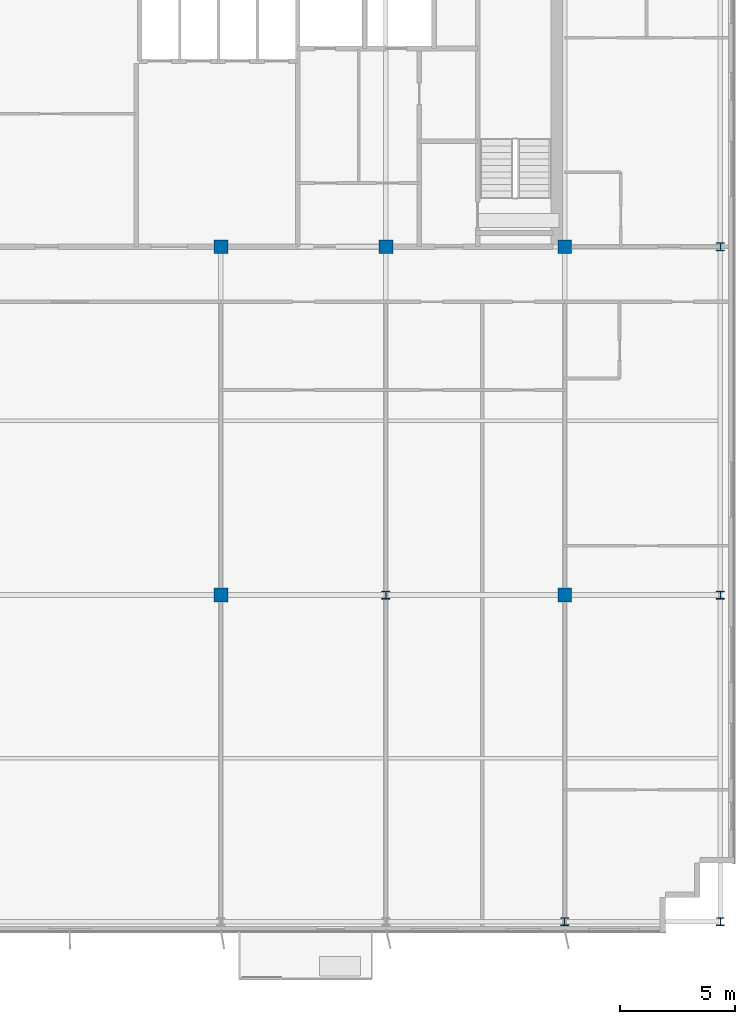
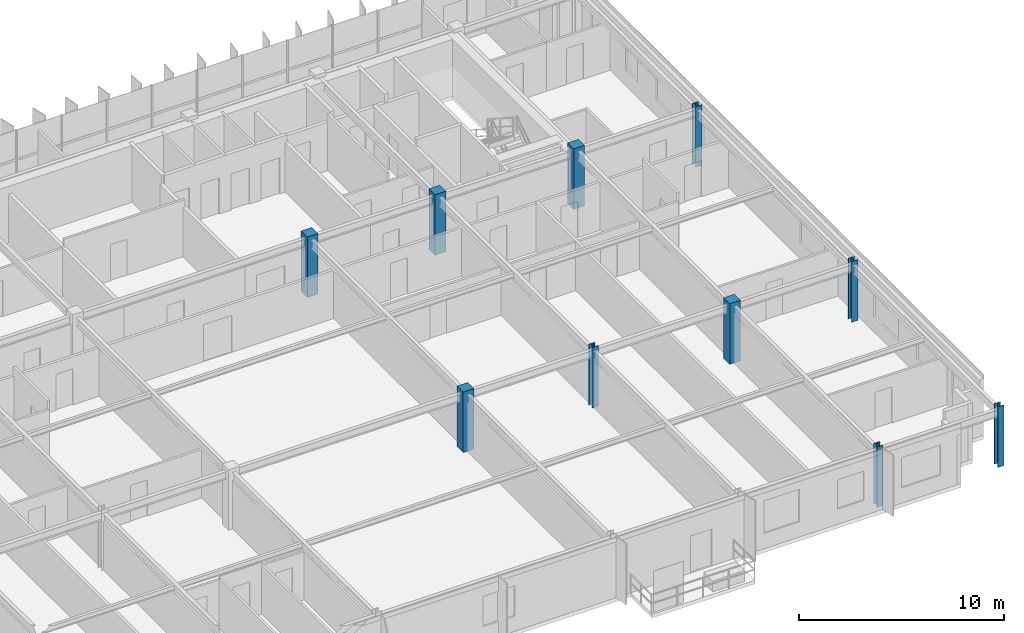
# One storey, part 2 of 22: 10 columns.
"""IFC4 building model written with IfcOpenShell, lengths in metres."""

from ifc_helpers import new_model, si_unit, direction, frame, origin, origin_2d, place, context, subcontext, project, spatial, rectangle, i_section, extrude, source, transform, mapped, material, material_profile, profile_set, type_object, element, save


model = new_model("IFC4")

# Units and contexts
model_context = context("Model", 3, precision=1e-05, world=origin(), true_north=direction((0.0, 1.0)))
body_context = subcontext(model_context, "Body", "Model", "MODEL_VIEW")
ifc_project = project(units=[si_unit("LENGTHUNIT", "METRE"), si_unit("AREAUNIT", "SQUARE_METRE"), si_unit("VOLUMEUNIT", "CUBIC_METRE"), si_unit("PLANEANGLEUNIT", "RADIAN"), si_unit("MASSUNIT", "GRAM", prefix="KILO")], contexts=[model_context])

# Site, building, storey
site_placement = place(None, origin())
site = spatial("IfcSite", under=ifc_project, at=site_placement, CompositionType="ELEMENT")
building_placement = place(site_placement, origin())
building = spatial("IfcBuilding", under=site, at=building_placement, Name="Trelvane Seafront Commons", CompositionType="ELEMENT")
storey_placement = place(building_placement, frame((0.0, 0.0, 273.89990234375)))
storey = spatial("IfcBuildingStorey", under=building, at=storey_placement, Name="L71", CompositionType="ELEMENT", Elevation=273.89990234375)

# Columns
ifc_material_1 = material(Name="Steel SM355 (S355)", Category="steel")
ifc_material_profile_1 = material_profile(ifc_material_1, i_section(OverallWidth=0.35009765625, OverallDepth=0.35009765625, WebThickness=0.01806640625, FlangeThickness=0.028076171875, at=origin_2d()), Name="HD-350x350x18x28")
ifc_profile_set_1 = profile_set([ifc_material_profile_1], Name="Steel SM355 (S355)")
column_type_1 = type_object("IfcColumnType", Name="STR-COL-HD350", PredefinedType="COLUMN", material=ifc_profile_set_1)
shared_shape_1 = source(origin(), body_context, "Body", "SweptSolid", [
    extrude(i_section(OverallWidth=0.35009765625, OverallDepth=0.35009765625, WebThickness=0.01806640625, FlangeThickness=0.028076171875, at=origin_2d()), origin(), (0.0, 0.0, 1.0), 3.60009765625),
])
for number, where, z_axis, x_axis, name in (
    (1, (51.0, 18.199951171875, 0.0), (0.0, 0.0, 1.0), (1.0, 0.0, 0.0), "L71 Column TC-M51.0"),
    (2, (58.800048828125, 3.949951171875, 0.0), (0.0, 0.0, 1.0), (1.0, 0.0, 0.0), "L71 Column TC-S58.8"),
    (3, (65.60009765625, 3.949951171875, 0.0), (0.0, 0.0, 1.0), (1.0, 0.0, 0.0), "L71 Column TC-S65.6"),
    (4, (65.60009765625, 18.199951171875, 0.0), (0.0, 0.0, 1.0), (1.0, 0.0, 0.0), "L71 Column TC-M65.6"),
    (5, (65.60009765625, 33.39990234375, 0.0), (0.0, 0.0, 1.0), (1.0, 0.0, 0.0), "L71 Column TC-CS65.6"),
):
    element("IfcColumn", number, at=place(storey_placement, frame(where, z_axis=z_axis, x_axis=x_axis)), inside=storey, type_object=column_type_1, Name=name, PredefinedType="COLUMN", context=body_context, shape_type="MappedRepresentation", body=[
        mapped(shared_shape_1, transform((0.0, 0.0, 0.0), x_axis=(1.0, 0.0, 0.0), y_axis=(0.0, 1.0, 0.0), z_axis=(0.0, 0.0, 1.0), scale=1.0)),
    ])
ifc_material_2 = material(Name="Concrete C50/60", Category="concrete")
ifc_material_profile_2 = material_profile(ifc_material_2, rectangle(XDim=0.60009765625, YDim=0.60009765625, at=origin_2d()), Name="RC-600x600")
ifc_profile_set_2 = profile_set([ifc_material_profile_2], Name="Concrete C50/60")
column_type_2 = type_object("IfcColumnType", Name="STR-COL-RC600", PredefinedType="COLUMN", material=ifc_profile_set_2)
shared_shape_2 = source(origin(), body_context, "Body", "SweptSolid", [
    extrude(rectangle(XDim=0.60009765625, YDim=0.60009765625, at=origin_2d()), origin(), (0.0, 0.0, 1.0), 3.60009765625),
])
for number, where, z_axis, x_axis, name in (
    (6, (43.800048828125, 18.199951171875, 0.0), (0.0, 0.0, 1.0), (1.0, 0.0, 0.0), "L71 Column TC-M43.8"),
    (7, (43.800048828125, 33.39990234375, 0.0), (0.0, 0.0, 1.0), (1.0, 0.0, 0.0), "L71 Column TC-CS43.8"),
    (8, (51.0, 33.39990234375, 0.0), (0.0, 0.0, 1.0), (1.0, 0.0, 0.0), "L71 Column TC-CS51.0"),
    (9, (58.800048828125, 18.199951171875, 0.0), (0.0, 0.0, 1.0), (1.0, 0.0, 0.0), "L71 Column TC-M58.8"),
    (10, (58.800048828125, 33.39990234375, 0.0), (0.0, 0.0, 1.0), (1.0, 0.0, 0.0), "L71 Column TC-CS58.8"),
):
    element("IfcColumn", number, at=place(storey_placement, frame(where, z_axis=z_axis, x_axis=x_axis)), inside=storey, type_object=column_type_2, Name=name, PredefinedType="COLUMN", context=body_context, shape_type="MappedRepresentation", body=[
        mapped(shared_shape_2, transform((0.0, 0.0, 0.0), x_axis=(1.0, 0.0, 0.0), y_axis=(0.0, 1.0, 0.0), z_axis=(0.0, 0.0, 1.0), scale=1.0)),
    ])

save(model, "model.ifc")
